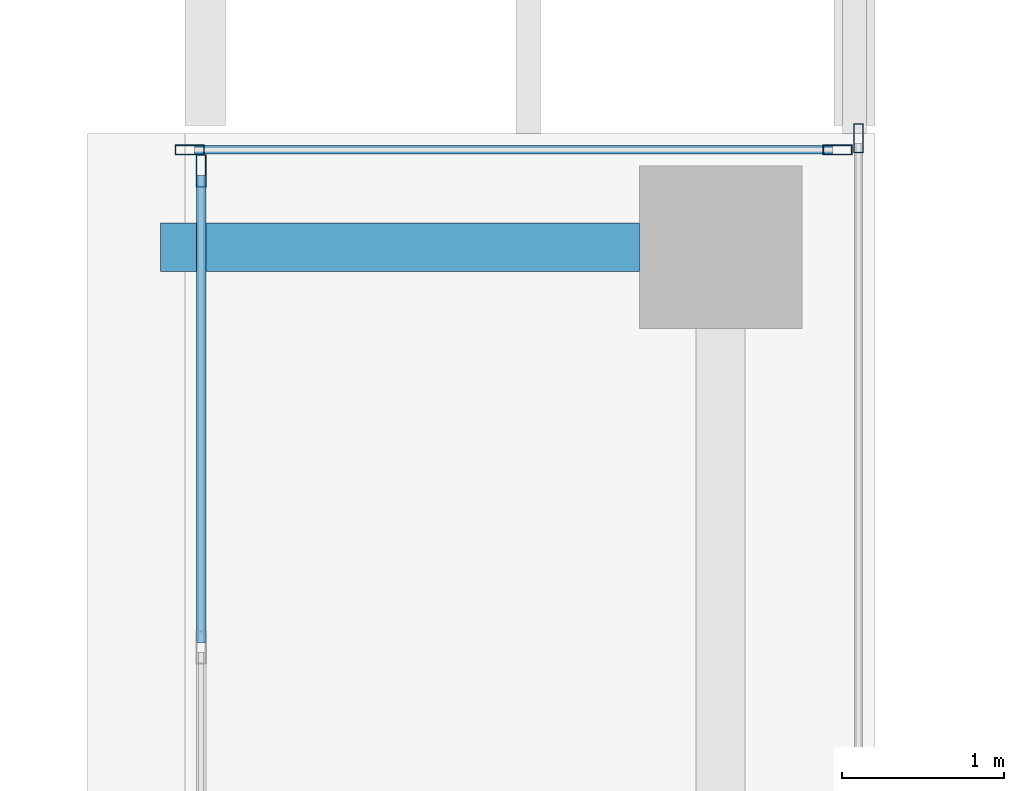
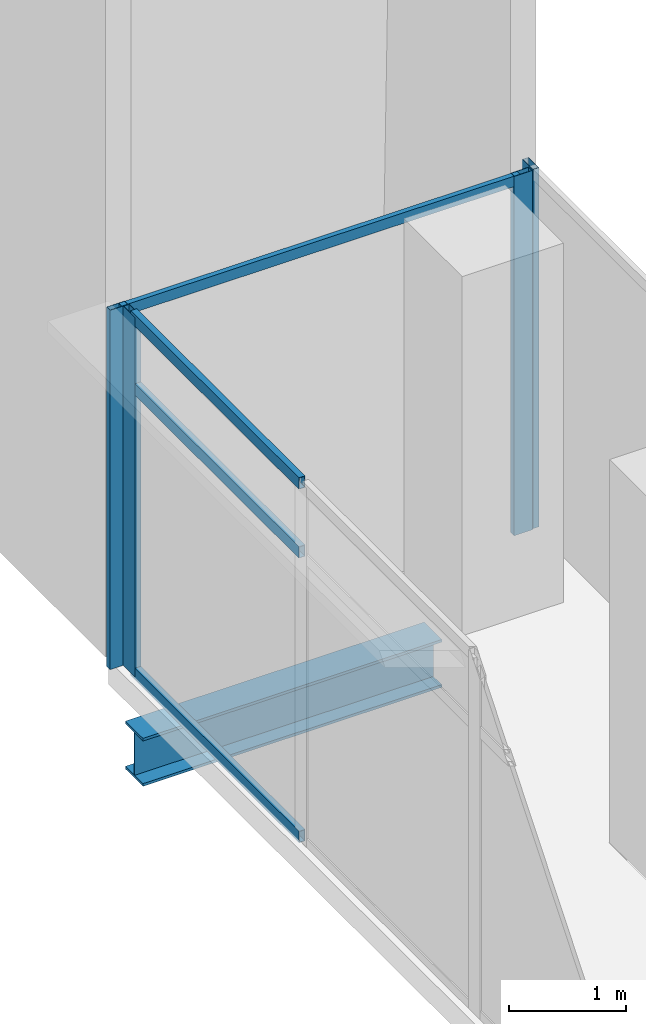
# One storey, part 26 of 40: 8 members, 1 beam, 3 elements without a shape of their own.
"""IFC4 building model written with IfcOpenShell, lengths in metres."""

from ifc_helpers import new_model, si_unit, direction, frame, origin, origin_2d, place, context, subcontext, project, spatial, hollow_rectangle, i_section, extrude, source, transform, mapped, material, material_profile, profile_set, type_object, element, aggregate, save


model = new_model("IFC4")

# Units and contexts
model_context = context("Model", 3, precision=1e-05, world=origin(), true_north=direction((0.0, 1.0)))
body_context = subcontext(model_context, "Body", "Model", "MODEL_VIEW")
ifc_project = project(units=[si_unit("LENGTHUNIT", "METRE"), si_unit("AREAUNIT", "SQUARE_METRE"), si_unit("VOLUMEUNIT", "CUBIC_METRE"), si_unit("PLANEANGLEUNIT", "RADIAN"), si_unit("MASSUNIT", "GRAM", prefix="KILO")], contexts=[model_context])

# Site, building, storey
site_placement = place(None, origin())
site = spatial("IfcSite", under=ifc_project, at=site_placement, CompositionType="ELEMENT")
building_placement = place(site_placement, origin())
building = spatial("IfcBuilding", under=site, at=building_placement, Name="Khomas Fold Tower", CompositionType="ELEMENT")
storey_placement = place(building_placement, frame((0.0, 0.0, 176.699951171875)))
storey = spatial("IfcBuildingStorey", under=building, at=storey_placement, Name="L38", CompositionType="ELEMENT", Elevation=176.699951171875)

# Beam
ifc_material_1 = material(Name="Steel S355", Category="steel")
ifc_material_profile_1 = material_profile(ifc_material_1, i_section(OverallWidth=0.300048828125, OverallDepth=0.5, WebThickness=0.014404296875, FlangeThickness=0.028076171875, at=origin_2d()), Name="HE 500 B")
ifc_profile_set_1 = profile_set([ifc_material_profile_1], Name="Steel S355")
beam_type = type_object("IfcBeamType", Name="HE 500 B spandrel SB3", PredefinedType="SPANDREL", material=ifc_profile_set_1)
shared_shape_1 = source(origin(), body_context, "Body", "SweptSolid", [
    extrude(i_section(OverallWidth=0.300048828125, OverallDepth=0.5, WebThickness=0.014404296875, FlangeThickness=0.028076171875, at=origin_2d()), origin(), (0.0, 0.0, 1.0), 2.949951171875),
])
beam_placement = place(storey_placement, frame((42.10009765625, 50.300048828125, -0.5), z_axis=(1.0, 0.0, 0.0), x_axis=(0.0, 1.0, 0.0)))
element("IfcBeam", 1, at=beam_placement, inside=storey, type_object=beam_type, Name="SB3", PredefinedType="SPANDREL", context=body_context, shape_type="MappedRepresentation", body=[
    mapped(shared_shape_1, transform((0.0, 0.0, 0.0))),
])

# Curtain wall, member
ifc_material_2 = material(Name="Aluminium framed double glazing", Category="aluminium")
curtain_wall_type_1 = type_object("IfcCurtainWallType", Name="SK-Unitised clear-glass wall, office floors CW2", PredefinedType="NOTDEFINED", material=ifc_material_2)
curtain_wall_1_placement = place(storey_placement, origin())
curtain_wall_1 = element("IfcCurtainWall", 2, at=curtain_wall_1_placement, inside=storey, type_object=curtain_wall_type_1, Name="CW2 corner return L38 10", PredefinedType="NOTDEFINED")
ifc_material_3 = material(Name="Aluminium", Category="aluminium")
ifc_material_profile_2 = material_profile(ifc_material_3, hollow_rectangle(XDim=0.06005859375, YDim=0.179931640625, WallThickness=0.00390625, at=origin_2d()), Name="SK-Unitised clear-glass wall, office floors mullion CW2-M")
ifc_profile_set_2 = profile_set([ifc_material_profile_2], Name="Aluminium")
member_type_1 = type_object("IfcMemberType", Name="SK-Unitised clear-glass wall, office floors mullion CW2-M", PredefinedType="MULLION", material=ifc_profile_set_2)
shared_shape_2 = source(origin(), body_context, "Body", "SweptSolid", [
    extrude(hollow_rectangle(XDim=0.06005859375, YDim=0.179931640625, WallThickness=0.00390625, at=origin_2d()), origin(), (0.0, 0.0, 1.0), 3.75),
])
member_1_placement = place(storey_placement, frame((46.39990234375, 50.969970703125, 0.0), z_axis=(0.0, 0.0, 1.0), x_axis=(-1.0, 0.0, 0.0)))
member_1 = element("IfcMember", 3, at=member_1_placement, type_object=member_type_1, Name="CW2 mullion 2", PredefinedType="MULLION", context=body_context, shape_type="MappedRepresentation", body=[
    mapped(shared_shape_2, transform((0.0, 0.0, 0.0))),
])
aggregate(curtain_wall_1, [member_1])

# Curtain wall, members
curtain_wall_2_placement = place(storey_placement, origin())
curtain_wall_2 = element("IfcCurtainWall", 4, at=curtain_wall_2_placement, inside=storey, type_object=curtain_wall_type_1, Name="CW2 corner return L38 11", PredefinedType="NOTDEFINED")
member_2_placement = place(storey_placement, frame((46.27001953125, 50.89990234375, 0.0), z_axis=(0.0, 0.0, 1.0), x_axis=(0.0, -1.0, 0.0)))
member_2 = element("IfcMember", 5, at=member_2_placement, type_object=member_type_1, Name="CW2 mullion 1", PredefinedType="MULLION", context=body_context, shape_type="MappedRepresentation", body=[
    mapped(shared_shape_2, transform((0.0, 0.0, 0.0))),
])
member_3_placement = place(storey_placement, frame((42.280029296875, 50.89990234375, 0.0), z_axis=(0.0, 0.0, 1.0), x_axis=(0.0, -1.0, 0.0)))
member_3 = element("IfcMember", 6, at=member_3_placement, type_object=member_type_1, Name="CW2 mullion 2", PredefinedType="MULLION", context=body_context, shape_type="MappedRepresentation", body=[
    mapped(shared_shape_2, transform((0.0, 0.0, 0.0))),
])
ifc_material_4 = material(Name="Aluminium", Category="aluminium")
ifc_material_profile_3 = material_profile(ifc_material_4, hollow_rectangle(XDim=0.050048828125, YDim=0.110107421875, WallThickness=0.00390625, at=origin_2d()), Name="SK-Unitised clear-glass wall, office floors transom CW2-T")
ifc_profile_set_3 = profile_set([ifc_material_profile_3], Name="Aluminium")
member_type_2 = type_object("IfcMemberType", Name="SK-Unitised clear-glass wall, office floors transom CW2-T", PredefinedType="USERDEFINED", material=ifc_profile_set_3)
shared_shape_3 = source(origin(), body_context, "Body", "SweptSolid", [
    extrude(hollow_rectangle(XDim=0.050048828125, YDim=0.110107421875, WallThickness=0.00390625, at=origin_2d()), origin(), (0.0, 0.0, 1.0), 3.929931640625),
])
member_4_placement = place(storey_placement, frame((46.239990234375, 50.89990234375, 3.695068359375), z_axis=(-1.0, 0.0, 0.0), x_axis=(0.0, -1.0, 0.0)))
member_4 = element("IfcMember", 7, at=member_4_placement, type_object=member_type_2, Name="CW2 transom 1", ObjectType="TRANSOM", PredefinedType="USERDEFINED", context=body_context, shape_type="MappedRepresentation", body=[
    mapped(shared_shape_3, transform((0.0, 0.0, 0.0))),
])
aggregate(curtain_wall_2, [member_2, member_3, member_4])

ifc_material_5 = material(Name="Aluminium framed double glazing", Category="aluminium")
curtain_wall_type_2 = type_object("IfcCurtainWallType", Name="Notch glazing GN-CW", PredefinedType="NOTDEFINED", material=ifc_material_5)
curtain_wall_3_placement = place(storey_placement, origin())
curtain_wall_3 = element("IfcCurtainWall", 8, at=curtain_wall_3_placement, inside=storey, type_object=curtain_wall_type_2, Name="Notch glazing run", PredefinedType="NOTDEFINED")
ifc_material_6 = material(Name="Aluminium", Category="aluminium")
ifc_material_profile_4 = material_profile(ifc_material_6, hollow_rectangle(XDim=0.06005859375, YDim=0.1201171875, WallThickness=0.00390625, at=origin_2d()), Name="Notch glazing transom GN-CW-T")
ifc_profile_set_4 = profile_set([ifc_material_profile_4], Name="Aluminium")
member_type_3 = type_object("IfcMemberType", Name="Notch glazing transom GN-CW-T", PredefinedType="USERDEFINED", material=ifc_profile_set_4)
shared_shape_4 = source(origin(), body_context, "Body", "SweptSolid", [
    extrude(hollow_rectangle(XDim=0.06005859375, YDim=0.1201171875, WallThickness=0.00390625, at=origin_2d()), origin(), (0.0, 0.0, 1.0), 2.876708984375),
])
member_5_placement = place(storey_placement, frame((42.35009765625, 50.739990234375, 0.030029296875), z_axis=(0.0, -1.0, 0.0), x_axis=(1.0, 0.0, 0.0)))
member_5 = element("IfcMember", 9, at=member_5_placement, type_object=member_type_3, Name="GN-CW transom 1.1", ObjectType="TRANSOM", PredefinedType="USERDEFINED", context=body_context, shape_type="MappedRepresentation", body=[
    mapped(shared_shape_4, transform((0.0, 0.0, 0.0))),
])
member_6_placement = place(storey_placement, frame((42.35009765625, 50.739990234375, 3.0), z_axis=(0.0, -1.0, 0.0), x_axis=(1.0, 0.0, 0.0)))
member_6 = element("IfcMember", 10, at=member_6_placement, type_object=member_type_3, Name="GN-CW transom 1.2", ObjectType="TRANSOM", PredefinedType="USERDEFINED", context=body_context, shape_type="MappedRepresentation", body=[
    mapped(shared_shape_4, transform((0.0, 0.0, 0.0))),
])
member_7_placement = place(storey_placement, frame((42.35009765625, 50.739990234375, 3.719970703125), z_axis=(0.0, -1.0, 0.0), x_axis=(1.0, 0.0, 0.0)))
member_7 = element("IfcMember", 11, at=member_7_placement, type_object=member_type_3, Name="GN-CW transom 1.3", ObjectType="TRANSOM", PredefinedType="USERDEFINED", context=body_context, shape_type="MappedRepresentation", body=[
    mapped(shared_shape_4, transform((0.0, 0.0, 0.0))),
])
ifc_material_7 = material(Name="Aluminium", Category="aluminium")
ifc_material_profile_5 = material_profile(ifc_material_7, hollow_rectangle(XDim=0.06005859375, YDim=0.199951171875, WallThickness=0.00390625, at=origin_2d()), Name="Notch glazing mullion GN-CW-M")
ifc_profile_set_5 = profile_set([ifc_material_profile_5], Name="Aluminium")
member_type_4 = type_object("IfcMemberType", Name="Notch glazing mullion GN-CW-M", PredefinedType="MULLION", material=ifc_profile_set_5)
shared_shape_5 = source(origin(), body_context, "Body", "SweptSolid", [
    extrude(hollow_rectangle(XDim=0.06005859375, YDim=0.199951171875, WallThickness=0.00390625, at=origin_2d()), origin(), (0.0, 0.0, 1.0), 3.75),
])
member_8_placement = place(storey_placement, frame((42.35009765625, 50.77001953125, 0.0), z_axis=(0.0, 0.0, 1.0), x_axis=(1.0, 0.0, 0.0)))
member_8 = element("IfcMember", 12, at=member_8_placement, type_object=member_type_4, Name="GN-CW mullion 1", PredefinedType="MULLION", context=body_context, shape_type="MappedRepresentation", body=[
    mapped(shared_shape_5, transform((0.0, 0.0, 0.0))),
])
aggregate(curtain_wall_3, [member_8, member_5, member_6, member_7])

save(model, "model.ifc")
